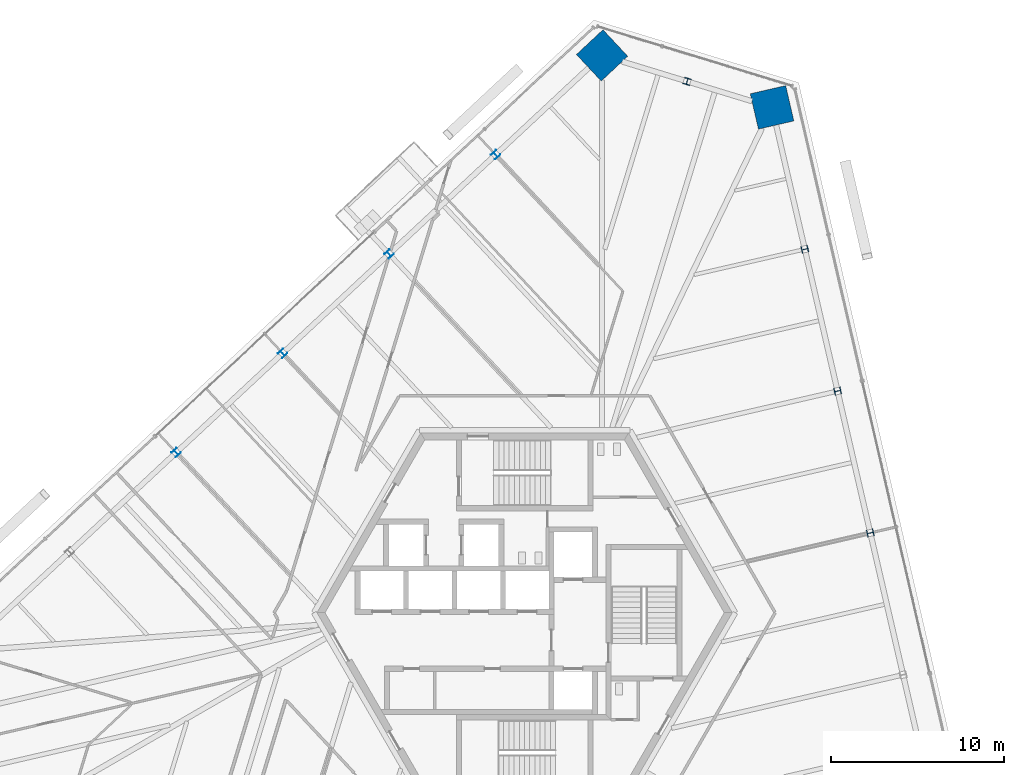
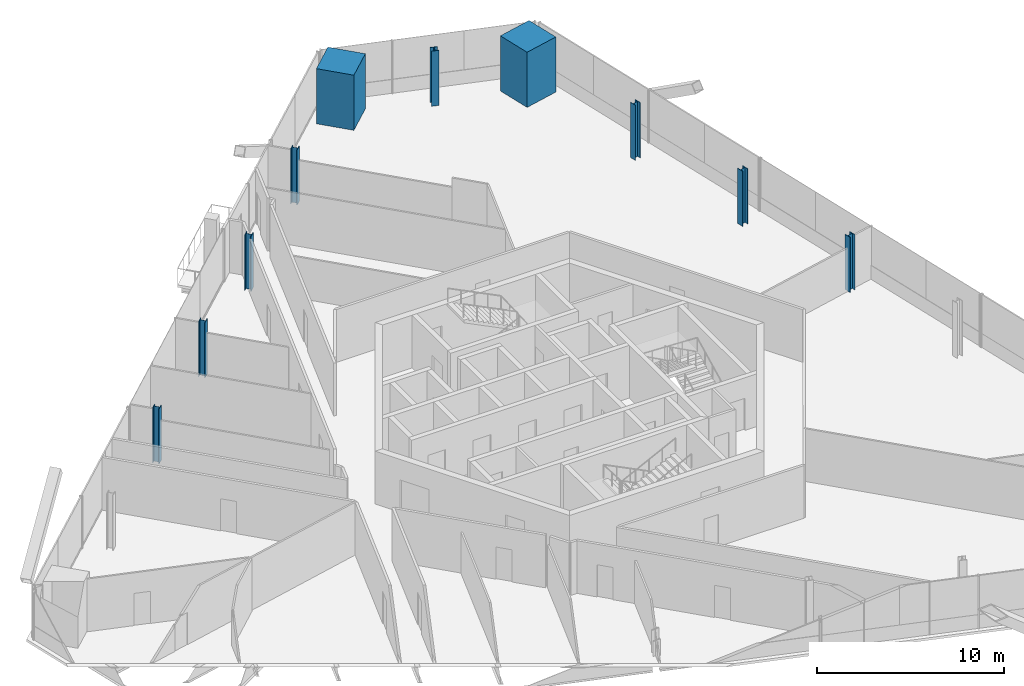
# One storey, part 3 of 18: 10 columns.
"""IFC4 building model written with IfcOpenShell, lengths in metres."""

from ifc_helpers import new_model, si_unit, direction, frame, origin, origin_2d, place, context, subcontext, project, spatial, rectangle, i_section, extrude, source, transform, mapped, material, material_profile, profile_set, type_object, element, save


model = new_model("IFC4")

# Units and contexts
model_context = context("Model", 3, precision=1e-05, world=origin(), true_north=direction((0.0, 1.0)))
body_context = subcontext(model_context, "Body", "Model", "MODEL_VIEW")
ifc_project = project(units=[si_unit("LENGTHUNIT", "METRE"), si_unit("AREAUNIT", "SQUARE_METRE"), si_unit("VOLUMEUNIT", "CUBIC_METRE"), si_unit("PLANEANGLEUNIT", "RADIAN"), si_unit("MASSUNIT", "GRAM", prefix="KILO")], contexts=[model_context])

# Site, building, storey
site_placement = place(None, origin())
site = spatial("IfcSite", under=ifc_project, at=site_placement, CompositionType="ELEMENT")
building_placement = place(site_placement, origin())
building = spatial("IfcBuilding", under=site, at=building_placement, Name="Triune Harvest Tower", CompositionType="ELEMENT")
storey_placement = place(building_placement, frame((0.0, 0.0, 101.89990234375)))
storey = spatial("IfcBuildingStorey", under=building, at=storey_placement, Name="L25", CompositionType="ELEMENT", Elevation=101.89990234375)

# Columns
ifc_material_1 = material(Name="Concrete 70 MPa", Category="concrete")
ifc_material_profile_1 = material_profile(ifc_material_1, rectangle(XDim=2.10009765625, YDim=2.10009765625, at=origin_2d()), Name="Composite 2100x2100")
ifc_profile_set_1 = profile_set([ifc_material_profile_1], Name="Concrete 70 MPa")
column_type_1 = type_object("IfcColumnType", Name="MC-3 Mega column Composite 2100x2100", PredefinedType="COLUMN", material=ifc_profile_set_1)
shared_shape_1 = source(origin(), body_context, "Body", "SweptSolid", [
    extrude(rectangle(XDim=2.10009765625, YDim=2.10009765625, at=origin_2d()), origin(), (0.0, 0.0, 1.0), 3.60009765625),
])
for number, where, z_axis, x_axis, name in (
    (1, (14.301513671875, 29.208984375, 0.0), (0.0, 0.0, 1.0), (-0.22495275494, 0.97436967217, 0.0), "col/L25/M6"),
    (2, (4.47705078125, 32.212646484375, 0.0), (0.0, 0.0, 1.0), (-0.73135489193, -0.681997083608, 0.0), "col/L25/M8"),
):
    element("IfcColumn", number, at=place(storey_placement, frame(where, z_axis=z_axis, x_axis=x_axis)), inside=storey, type_object=column_type_1, Name=name, PredefinedType="COLUMN", context=body_context, shape_type="MappedRepresentation", body=[
        mapped(shared_shape_1, transform((0.0, 0.0, 0.0), scale=1.0)),
    ])
ifc_material_2 = material(Name="Steel ASTM A992 Gr 50", Category="steel")
ifc_material_profile_2 = material_profile(ifc_material_2, i_section(OverallWidth=0.396240234375, OverallDepth=0.381103515625, WebThickness=0.01904296875, FlangeThickness=0.0302734375, at=origin_2d()), Name="W14x159")
ifc_profile_set_2 = profile_set([ifc_material_profile_2], Name="Steel ASTM A992 Gr 50")
column_type_2 = type_object("IfcColumnType", Name="PC-3 Perimeter column W14x159", PredefinedType="COLUMN", material=ifc_profile_set_2)
shared_shape_2 = source(origin(), body_context, "Body", "SweptSolid", [
    extrude(i_section(OverallWidth=0.396240234375, OverallDepth=0.381103515625, WebThickness=0.01904296875, FlangeThickness=0.0302734375, at=origin_2d()), origin(), (0.0, 0.0, 1.0), 3.60009765625),
])
for number, where, z_axis, x_axis, name in (
    (3, (19.97998046875, 4.61279296875, 0.0), (0.0, 0.0, 1.0), (-0.22495275494, 0.97436967217, 0.0), "col/L25/P3"),
    (4, (18.087158203125, 12.8115234375, 0.0), (0.0, 0.0, 1.0), (-0.22495275494, 0.97436967217, 0.0), "col/L25/P4"),
    (5, (16.1943359375, 21.01025390625, 0.0), (0.0, 0.0, 1.0), (-0.22495275494, 0.97436967217, 0.0), "col/L25/P5"),
    (6, (9.389404296875, 30.7109375, 0.0), (0.0, 0.0, 1.0), (-0.956304755963, 0.292371704723, 0.0), "col/L25/P7"),
    (7, (-1.6767578125, 26.47412109375, 0.0), (0.0, 0.0, 1.0), (-0.73135489193, -0.681997083608, 0.0), "col/L25/P9"),
    (8, (-7.830810546875, 20.7353515625, 0.0), (0.0, 0.0, 1.0), (-0.73135489193, -0.681997083608, 0.0), "col/L25/P10"),
    (9, (-13.984619140625, 14.996826171875, 0.0), (0.0, 0.0, 1.0), (-0.73135489193, -0.681997083608, 0.0), "col/L25/P11"),
    (10, (-20.138671875, 9.25830078125, 0.0), (0.0, 0.0, 1.0), (-0.73135489193, -0.681997083608, 0.0), "col/L25/P12"),
):
    element("IfcColumn", number, at=place(storey_placement, frame(where, z_axis=z_axis, x_axis=x_axis)), inside=storey, type_object=column_type_2, Name=name, PredefinedType="COLUMN", context=body_context, shape_type="MappedRepresentation", body=[
        mapped(shared_shape_2, transform((0.0, 0.0, 0.0), scale=1.0)),
    ])

save(model, "model.ifc")
